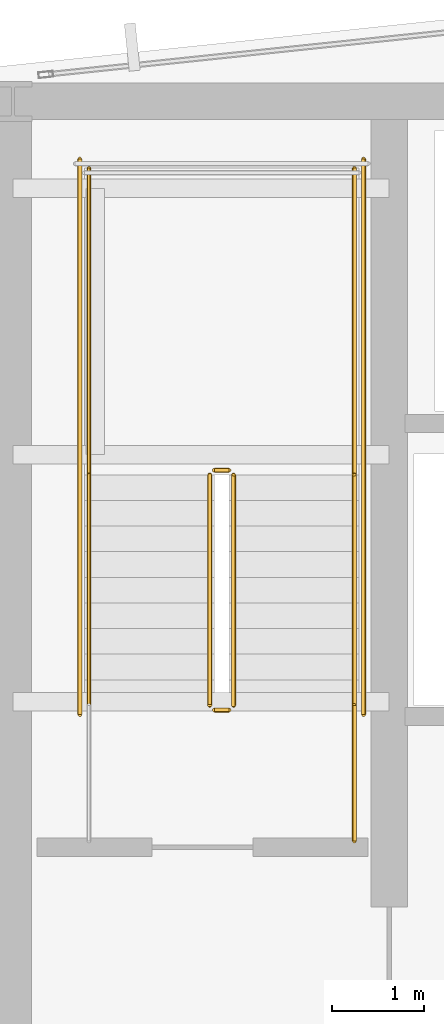
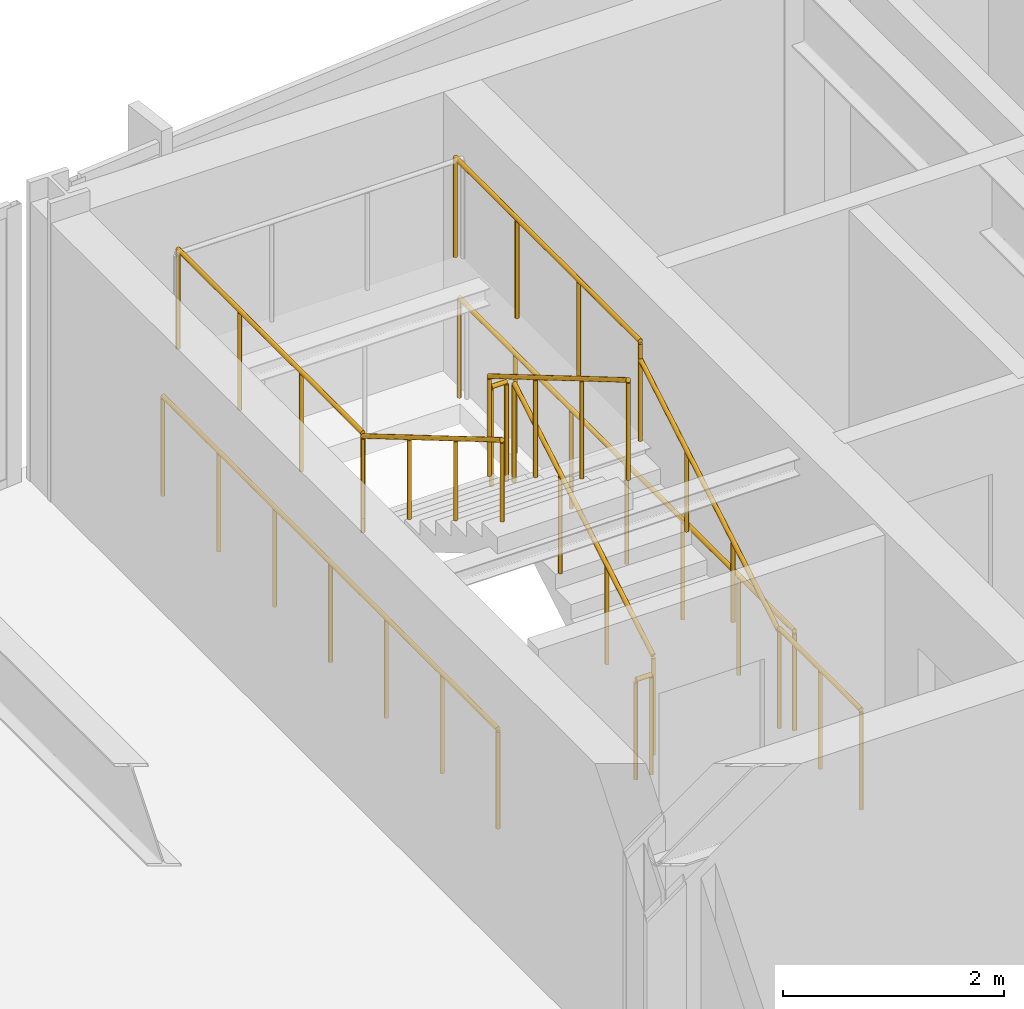
# One storey, part 31 of 33: 11 railings.
"""IFC4 building model written with IfcOpenShell, lengths in metres."""

from ifc_helpers import new_model, si_unit, direction, frame, origin, origin_2d, place, context, subcontext, project, spatial, circle, extrude, material, layer, layer_set, type_object, element, save


model = new_model("IFC4")

# Units and contexts
model_context = context("Model", 3, precision=1e-05, world=origin(), true_north=direction((0.0, 1.0)))
body_context = subcontext(model_context, "Body", "Model", "MODEL_VIEW")
ifc_project = project(units=[si_unit("LENGTHUNIT", "METRE"), si_unit("AREAUNIT", "SQUARE_METRE"), si_unit("VOLUMEUNIT", "CUBIC_METRE"), si_unit("PLANEANGLEUNIT", "RADIAN"), si_unit("MASSUNIT", "GRAM", prefix="KILO")], contexts=[model_context])

# Site, building, storey
site_placement = place(None, origin())
site = spatial("IfcSite", under=ifc_project, at=site_placement, CompositionType="ELEMENT")
building_placement = place(site_placement, origin())
building = spatial("IfcBuilding", under=site, at=building_placement, Name="Yelkora Congress Tower", CompositionType="ELEMENT")
storey_placement = place(building_placement, frame((0.0, 0.0, 234.199951171875)))
storey = spatial("IfcBuildingStorey", under=building, at=storey_placement, Name="L65", CompositionType="ELEMENT", Elevation=234.199951171875)

# Railings
ifc_material_1 = material(Name="Painted galvanised steel stair well guard with vertical infill", Category="steel")
ifc_layer_1 = layer(ifc_material_1, 0.06005859375)
ifc_layer_set_1 = layer_set([ifc_layer_1], Name="Painted galvanised steel stair well guard with vertical infill")
railing_type_1 = type_object("IfcRailingType", Name="RAIL-STAIR-GUARD-1120", PredefinedType="GUARDRAIL", material=ifc_layer_set_1)
railing_1_placement = place(storey_placement, frame((25.449951171875, 39.60009765625, 0.1650390625)))
element("IfcRailing", 1, at=railing_1_placement, inside=storey, type_object=railing_type_1, Name="ST-01 L65 Stair Well Guardrail 1", PredefinedType="GUARDRAIL", context=body_context, shape_type="SweptSolid", body=[
    extrude(circle(Radius=0.02392578125, at=origin_2d()), frame((0.0, 0.0, 1.09619140625), z_axis=(0.0, 0.86152411907, 0.507716645641), x_axis=(-1.0, 0.0, 0.0)), (0.0, 0.0, 1.0), 2.925048828125),
    extrude(circle(Radius=0.02099609375, at=origin_2d()), origin(), (0.0, 0.0, 1.0), 1.072021484375),
    extrude(circle(Radius=0.02099609375, at=origin_2d()), frame((0.0, 0.840087890625, 0.4951171875)), (0.0, 0.0, 1.0), 1.072021484375),
    extrude(circle(Radius=0.02099609375, at=origin_2d()), frame((0.0, 1.679931640625, 0.989990234375)), (0.0, 0.0, 1.0), 1.072021484375),
    extrude(circle(Radius=0.02099609375, at=origin_2d()), frame((0.0, 2.52001953125, 1.485107421875)), (0.0, 0.0, 1.0), 1.072021484375),
])
railing_2_placement = place(storey_placement, frame((25.39990234375, 42.169921875, 1.650146484375)))
element("IfcRailing", 2, at=railing_2_placement, inside=storey, type_object=railing_type_1, Name="ST-01 L65 Stair Well Guardrail 2", PredefinedType="GUARDRAIL", context=body_context, shape_type="SweptSolid", body=[
    extrude(circle(Radius=0.02392578125, at=origin_2d()), frame((0.0, 0.0, 1.09619140625), z_axis=(-1.0, 0.0, 0.0), x_axis=(0.0, -1.0, 0.0)), (0.0, 0.0, 1.0), 0.159912109375),
    extrude(circle(Radius=0.02099609375, at=origin_2d()), origin(), (0.0, 0.0, 1.0), 1.072021484375),
    extrude(circle(Radius=0.02099609375, at=origin_2d()), frame((-0.159912109375, 0.0, 0.0)), (0.0, 0.0, 1.0), 1.072021484375),
])
for number, where, name in (
    (3, (26.77001953125, 42.1201171875, 1.650146484375), "ST-01 L65 Stair Well Guardrail 3"),
    (4, (23.8701171875, 42.1201171875, 1.650146484375), "ST-01 L65 Stair Well Guardrail 4"),
):
    element("IfcRailing", number, at=place(storey_placement, frame(where)), inside=storey, type_object=railing_type_1, Name=name, PredefinedType="GUARDRAIL", context=body_context, shape_type="SweptSolid", body=[
        extrude(circle(Radius=0.02392578125, at=origin_2d()), frame((0.0, 0.0, 1.09619140625), z_axis=(0.0, 1.0, 0.0), x_axis=(-1.0, 0.0, 0.0)), (0.0, 0.0, 1.0), 3.349853515625),
        extrude(circle(Radius=0.02099609375, at=origin_2d()), origin(), (0.0, 0.0, 1.0), 1.072021484375),
        extrude(circle(Radius=0.02099609375, at=origin_2d()), frame((0.0, 1.11669921875, 0.0)), (0.0, 0.0, 1.0), 1.072021484375),
        extrude(circle(Radius=0.02099609375, at=origin_2d()), frame((0.0, 2.233154296875, 0.0)), (0.0, 0.0, 1.0), 1.072021484375),
        extrude(circle(Radius=0.02099609375, at=origin_2d()), frame((0.0, 3.349853515625, 0.0)), (0.0, 0.0, 1.0), 1.072021484375),
    ])
railing_3_placement = place(storey_placement, frame((25.18994140625, 42.1201171875, 1.81494140625)))
element("IfcRailing", 5, at=railing_3_placement, inside=storey, type_object=railing_type_1, Name="ST-01 L65 Stair Well Guardrail 6", PredefinedType="GUARDRAIL", context=body_context, shape_type="SweptSolid", body=[
    extrude(circle(Radius=0.02392578125, at=origin_2d()), frame((0.0, 0.0, 1.09619140625), z_axis=(0.0, -0.86152411907, 0.507716645641), x_axis=(1.0, 0.0, 0.0)), (0.0, 0.0, 1.0), 2.925048828125),
    extrude(circle(Radius=0.02099609375, at=origin_2d()), origin(), (0.0, 0.0, 1.0), 1.072021484375),
    extrude(circle(Radius=0.02099609375, at=origin_2d()), frame((0.0, -0.840087890625, 0.4951171875)), (0.0, 0.0, 1.0), 1.072021484375),
    extrude(circle(Radius=0.02099609375, at=origin_2d()), frame((0.0, -1.679931640625, 0.989990234375)), (0.0, 0.0, 1.0), 1.072021484375),
    extrude(circle(Radius=0.02099609375, at=origin_2d()), frame((0.0, -2.52001953125, 1.485107421875)), (0.0, 0.0, 1.0), 1.072021484375),
])
railing_4_placement = place(storey_placement, frame((25.39990234375, 39.550048828125, 0.0)))
element("IfcRailing", 6, at=railing_4_placement, inside=storey, type_object=railing_type_1, Name="ST-01 L65 Stair Well Guardrail 7", PredefinedType="GUARDRAIL", context=body_context, shape_type="SweptSolid", body=[
    extrude(circle(Radius=0.02392578125, at=origin_2d()), frame((0.0, 0.0, 1.09619140625), z_axis=(-1.0, 0.0, 0.0), x_axis=(0.0, -1.0, 0.0)), (0.0, 0.0, 1.0), 0.159912109375),
    extrude(circle(Radius=0.02099609375, at=origin_2d()), origin(), (0.0, 0.0, 1.0), 1.072021484375),
    extrude(circle(Radius=0.02099609375, at=origin_2d()), frame((-0.159912109375, 0.0, 0.0)), (0.0, 0.0, 1.0), 1.072021484375),
])
railing_5_placement = place(storey_placement, frame((26.77001953125, 38.1201171875, 0.0)))
element("IfcRailing", 7, at=railing_5_placement, inside=storey, type_object=railing_type_1, Name="ST-01 L65 Stair Well Guardrail 8", PredefinedType="GUARDRAIL", context=body_context, shape_type="SweptSolid", body=[
    extrude(circle(Radius=0.02392578125, at=origin_2d()), frame((0.0, 0.0, 1.09619140625), z_axis=(0.0, 1.0, 0.0), x_axis=(-1.0, 0.0, 0.0)), (0.0, 0.0, 1.0), 1.47998046875),
    extrude(circle(Radius=0.02099609375, at=origin_2d()), origin(), (0.0, 0.0, 1.0), 1.072021484375),
    extrude(circle(Radius=0.02099609375, at=origin_2d()), frame((0.0, 0.739990234375, 0.0)), (0.0, 0.0, 1.0), 1.072021484375),
    extrude(circle(Radius=0.02099609375, at=origin_2d()), frame((0.0, 1.47998046875, 0.0)), (0.0, 0.0, 1.0), 1.072021484375),
])
for number, where, name in (
    (8, (26.8701171875, 39.5, 0.0), "ST-01 L65 Stair Well Guardrail 10"),
    (9, (23.77001953125, 39.5, 0.0), "ST-01 L65 Stair Well Guardrail 11"),
):
    element("IfcRailing", number, at=place(storey_placement, frame(where)), inside=storey, type_object=railing_type_1, Name=name, PredefinedType="GUARDRAIL", context=body_context, shape_type="SweptSolid", body=[
        extrude(circle(Radius=0.02392578125, at=origin_2d()), frame((0.0, 0.0, 1.09619140625), z_axis=(0.0, 1.0, 0.0), x_axis=(-1.0, 0.0, 0.0)), (0.0, 0.0, 1.0), 6.070068359375),
        extrude(circle(Radius=0.02099609375, at=origin_2d()), origin(), (0.0, 0.0, 1.0), 1.072021484375),
        extrude(circle(Radius=0.02099609375, at=origin_2d()), frame((0.0, 1.01171875, 0.0)), (0.0, 0.0, 1.0), 1.072021484375),
        extrude(circle(Radius=0.02099609375, at=origin_2d()), frame((0.0, 2.0234375, 0.0)), (0.0, 0.0, 1.0), 1.072021484375),
        extrude(circle(Radius=0.02099609375, at=origin_2d()), frame((0.0, 3.03515625, 0.0)), (0.0, 0.0, 1.0), 1.072021484375),
        extrude(circle(Radius=0.02099609375, at=origin_2d()), frame((0.0, 4.046630859375, 0.0)), (0.0, 0.0, 1.0), 1.072021484375),
        extrude(circle(Radius=0.02099609375, at=origin_2d()), frame((0.0, 5.058349609375, 0.0)), (0.0, 0.0, 1.0), 1.072021484375),
        extrude(circle(Radius=0.02099609375, at=origin_2d()), frame((0.0, 6.070068359375, 0.0)), (0.0, 0.0, 1.0), 1.072021484375),
    ])
ifc_material_2 = material(Name="Brushed stainless steel tubular handrail", Category="steel")
ifc_layer_2 = layer(ifc_material_2, 0.050048828125)
ifc_layer_set_2 = layer_set([ifc_layer_2], Name="Brushed stainless steel tubular handrail")
railing_type_2 = type_object("IfcRailingType", Name="RAIL-STAIR-HAND-920", PredefinedType="HANDRAIL", material=ifc_layer_set_2)
railing_6_placement = place(storey_placement, frame((26.77001953125, 39.60009765625, 0.1650390625)))
element("IfcRailing", 10, at=railing_6_placement, inside=storey, type_object=railing_type_2, Name="ST-01 L65 Pitch Handrail 1", PredefinedType="HANDRAIL", context=body_context, shape_type="SweptSolid", body=[
    extrude(circle(Radius=0.02392578125, at=origin_2d()), frame((0.0, 0.0, 0.89599609375), z_axis=(0.0, 0.86152411907, 0.507716645641), x_axis=(-1.0, 0.0, 0.0)), (0.0, 0.0, 1.0), 2.925048828125),
    extrude(circle(Radius=0.02099609375, at=origin_2d()), origin(), (0.0, 0.0, 1.0), 0.871826171875),
    extrude(circle(Radius=0.02099609375, at=origin_2d()), frame((0.0, 0.840087890625, 0.4951171875)), (0.0, 0.0, 1.0), 0.871826171875),
    extrude(circle(Radius=0.02099609375, at=origin_2d()), frame((0.0, 1.679931640625, 0.989990234375)), (0.0, 0.0, 1.0), 0.871826171875),
    extrude(circle(Radius=0.02099609375, at=origin_2d()), frame((0.0, 2.52001953125, 1.485107421875)), (0.0, 0.0, 1.0), 0.871826171875),
])
railing_7_placement = place(storey_placement, frame((23.8701171875, 42.1201171875, 1.81494140625)))
element("IfcRailing", 11, at=railing_7_placement, inside=storey, type_object=railing_type_2, Name="ST-01 L65 Pitch Handrail 2", PredefinedType="HANDRAIL", context=body_context, shape_type="SweptSolid", body=[
    extrude(circle(Radius=0.02392578125, at=origin_2d()), frame((0.0, 0.0, 0.89599609375), z_axis=(0.0, -0.86152411907, 0.507716645641), x_axis=(1.0, 0.0, 0.0)), (0.0, 0.0, 1.0), 2.925048828125),
    extrude(circle(Radius=0.02099609375, at=origin_2d()), origin(), (0.0, 0.0, 1.0), 0.871826171875),
    extrude(circle(Radius=0.02099609375, at=origin_2d()), frame((0.0, -0.840087890625, 0.4951171875)), (0.0, 0.0, 1.0), 0.871826171875),
    extrude(circle(Radius=0.02099609375, at=origin_2d()), frame((0.0, -1.679931640625, 0.989990234375)), (0.0, 0.0, 1.0), 0.871826171875),
    extrude(circle(Radius=0.02099609375, at=origin_2d()), frame((0.0, -2.52001953125, 1.485107421875)), (0.0, 0.0, 1.0), 0.871826171875),
])

save(model, "model.ifc")
